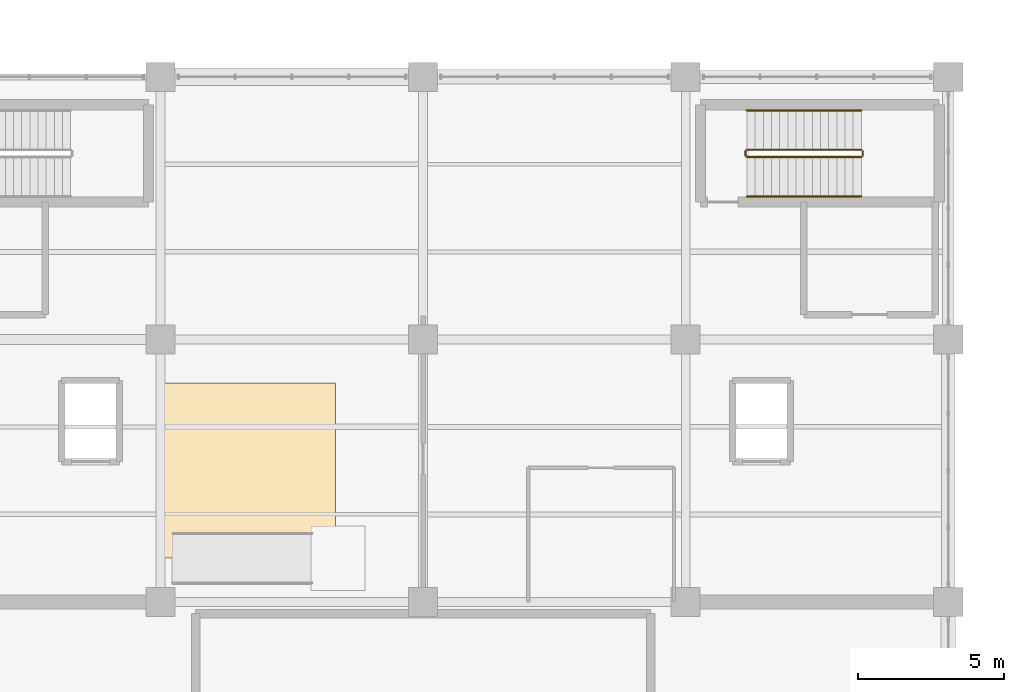
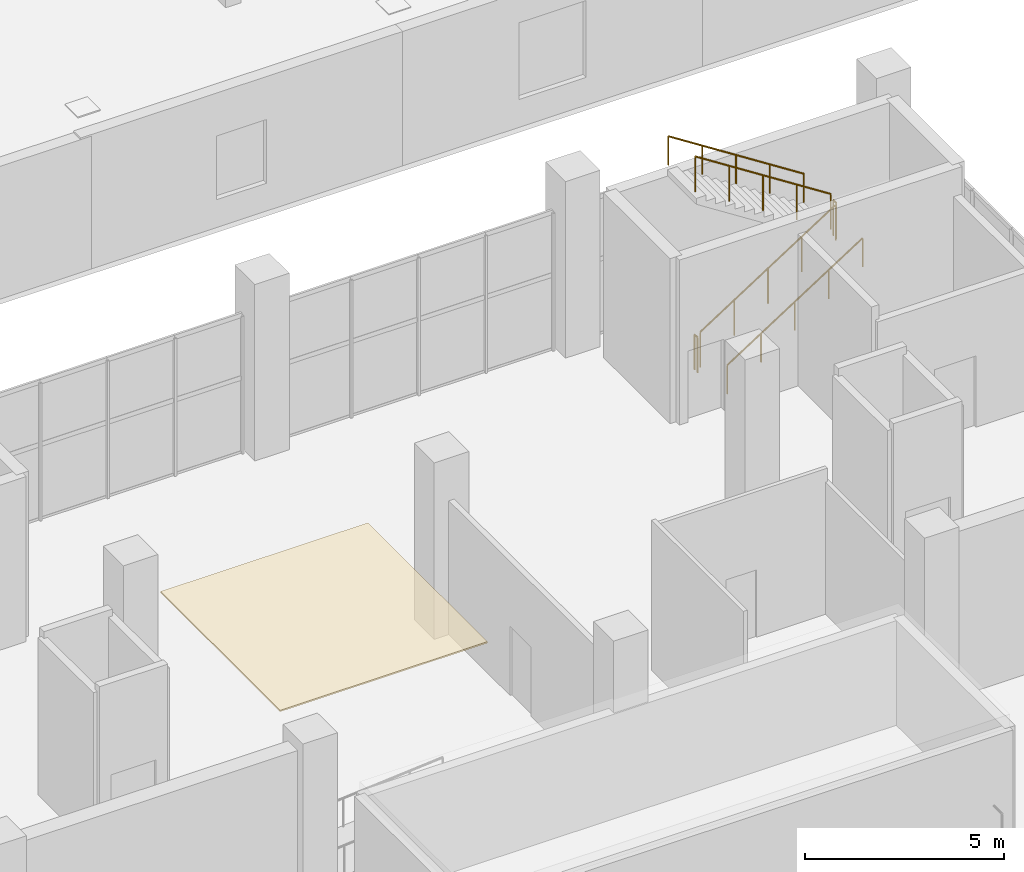
# One storey, part 144 of 147: 6 railings, 1 covering.
"""IFC4 building model written with IfcOpenShell, lengths in metres."""

from ifc_helpers import new_model, si_unit, direction, frame, origin, origin_2d, place, context, subcontext, project, spatial, rectangle, circle, extrude, material, layer, layer_set, type_object, element, save


model = new_model("IFC4")

# Units and contexts
model_context = context("Model", 3, precision=1e-05, world=origin(), true_north=direction((0.0, 1.0)))
body_context = subcontext(model_context, "Body", "Model", "MODEL_VIEW")
ifc_project = project(units=[si_unit("LENGTHUNIT", "METRE"), si_unit("AREAUNIT", "SQUARE_METRE"), si_unit("VOLUMEUNIT", "CUBIC_METRE"), si_unit("PLANEANGLEUNIT", "RADIAN"), si_unit("MASSUNIT", "GRAM", prefix="KILO")], contexts=[model_context])

# Site, building, storey
site_placement = place(None, origin())
site = spatial("IfcSite", under=ifc_project, at=site_placement, CompositionType="ELEMENT")
building_placement = place(site_placement, origin())
building = spatial("IfcBuilding", under=site, at=building_placement, Name="Sundgate Opera House", CompositionType="ELEMENT")
storey_placement = place(building_placement, frame((0.0, 0.0, 6.0)))
storey = spatial("IfcBuildingStorey", under=building, at=storey_placement, Name="L01", CompositionType="ELEMENT", Elevation=6.0)

# Covering
ifc_material_1 = material(Name="Perforated European oak acoustic ceiling", Category="wood")
ifc_layer = layer(ifc_material_1, 0.044921875)
ifc_layer_set = layer_set([ifc_layer], Name="Perforated European oak acoustic ceiling")
covering_type = type_object("IfcCoveringType", Name="CV-CEIL-OAK", PredefinedType="CEILING", material=ifc_layer_set)
covering_placement = place(storey_placement, frame((48.0, 64.5, 5.005126953125), z_axis=(0.0, 0.0, 1.0), x_axis=(1.0, 0.0, 0.0)))
element("IfcCovering", 1, at=covering_placement, inside=storey, type_object=covering_type, Name="L01 Acoustic Ceiling CV0128", PredefinedType="CEILING", context=body_context, shape_type="SweptSolid", body=[
    extrude(rectangle(XDim=6.0, YDim=6.0, at=origin_2d()), origin(), (0.0, 0.0, 1.0), 0.044921875),
])

# Railings
ifc_material_2 = material(Name="Painted steel S275 guardrail", Category="steel")
railing_type_1 = type_object("IfcRailingType", Name="RL-STAIR-GUARD-1100", PredefinedType="GUARDRAIL", material=ifc_material_2)
railing_1_placement = place(storey_placement, frame((65.10009765625, 75.25, 0.179931640625)))
element("IfcRailing", 2, at=railing_1_placement, inside=storey, type_object=railing_type_1, Name="ST04L01 Guardrail RL0145", PredefinedType="GUARDRAIL", context=body_context, shape_type="SweptSolid", body=[
    extrude(circle(Radius=0.02392578125, at=origin_2d()), frame((0.0, 0.0, 1.076171875), z_axis=(0.841171666519, 0.0, 0.540768182723), x_axis=(0.0, 1.0, 0.0)), (0.0, 0.0, 1.0), 4.66015625),
    extrude(circle(Radius=0.02099609375, at=origin_2d()), origin(), (0.0, 0.0, 1.0), 1.052001953125),
    extrude(circle(Radius=0.02099609375, at=origin_2d()), frame((0.97998046875, 0.0, 0.6298828125)), (0.0, 0.0, 1.0), 1.052001953125),
    extrude(circle(Radius=0.02099609375, at=origin_2d()), frame((1.9599609375, 0.0, 1.260009765625)), (0.0, 0.0, 1.0), 1.052001953125),
    extrude(circle(Radius=0.02099609375, at=origin_2d()), frame((2.93994140625, 0.0, 1.89013671875)), (0.0, 0.0, 1.0), 1.052001953125),
    extrude(circle(Radius=0.02099609375, at=origin_2d()), frame((3.919921875, 0.0, 2.52001953125)), (0.0, 0.0, 1.0), 1.052001953125),
])
railing_2_placement = place(storey_placement, frame((69.070068359375, 75.300048828125, 2.699951171875)))
element("IfcRailing", 3, at=railing_2_placement, inside=storey, type_object=railing_type_1, Name="ST04L01 Guardrail RL0146", PredefinedType="GUARDRAIL", context=body_context, shape_type="SweptSolid", body=[
    extrude(circle(Radius=0.02392578125, at=origin_2d()), frame((0.0, 0.0, 1.076171875), z_axis=(0.0, 1.0, 0.0), x_axis=(-1.0, 0.0, 0.0)), (0.0, 0.0, 1.0), 0.14990234375),
    extrude(circle(Radius=0.02099609375, at=origin_2d()), origin(), (0.0, 0.0, 1.0), 1.052001953125),
    extrude(circle(Radius=0.02099609375, at=origin_2d()), frame((0.0, 0.14990234375, 0.0)), (0.0, 0.0, 1.0), 1.052001953125),
])
railing_3_placement = place(storey_placement, frame((69.02001953125, 75.5, 2.8798828125)))
element("IfcRailing", 4, at=railing_3_placement, inside=storey, type_object=railing_type_1, Name="ST04L01 Guardrail RL0147", PredefinedType="GUARDRAIL", context=body_context, shape_type="SweptSolid", body=[
    extrude(circle(Radius=0.02392578125, at=origin_2d()), frame((0.0, 0.0, 1.076171875), z_axis=(-0.841171666519, 0.0, 0.540768182723), x_axis=(0.0, -1.0, 0.0)), (0.0, 0.0, 1.0), 4.66015625),
    extrude(circle(Radius=0.02099609375, at=origin_2d()), origin(), (0.0, 0.0, 1.0), 1.052001953125),
    extrude(circle(Radius=0.02099609375, at=origin_2d()), frame((-0.97998046875, 0.0, 0.6298828125)), (0.0, 0.0, 1.0), 1.052001953125),
    extrude(circle(Radius=0.02099609375, at=origin_2d()), frame((-1.9599609375, 0.0, 1.260009765625)), (0.0, 0.0, 1.0), 1.052001953125),
    extrude(circle(Radius=0.02099609375, at=origin_2d()), frame((-2.93994140625, 0.0, 1.89013671875)), (0.0, 0.0, 1.0), 1.052001953125),
    extrude(circle(Radius=0.02099609375, at=origin_2d()), frame((-3.919921875, 0.0, 2.52001953125)), (0.0, 0.0, 1.0), 1.052001953125),
])
railing_4_placement = place(storey_placement, frame((65.050048828125, 75.300048828125, 0.0)))
element("IfcRailing", 5, at=railing_4_placement, inside=storey, type_object=railing_type_1, Name="ST04L01 Guardrail RL0148", PredefinedType="GUARDRAIL", context=body_context, shape_type="SweptSolid", body=[
    extrude(circle(Radius=0.02392578125, at=origin_2d()), frame((0.0, 0.0, 1.076171875), z_axis=(0.0, 1.0, 0.0), x_axis=(-1.0, 0.0, 0.0)), (0.0, 0.0, 1.0), 0.14990234375),
    extrude(circle(Radius=0.02099609375, at=origin_2d()), origin(), (0.0, 0.0, 1.0), 1.052001953125),
    extrude(circle(Radius=0.02099609375, at=origin_2d()), frame((0.0, 0.14990234375, 0.0)), (0.0, 0.0, 1.0), 1.052001953125),
])
ifc_material_3 = material(Name="Brushed stainless steel handrail", Category="steel")
railing_type_2 = type_object("IfcRailingType", Name="RL-STAIR-HAND-900", PredefinedType="HANDRAIL", material=ifc_material_3)
railing_5_placement = place(storey_placement, frame((65.10009765625, 73.89990234375, 0.179931640625)))
element("IfcRailing", 6, at=railing_5_placement, inside=storey, type_object=railing_type_2, Name="ST04L01 Handrail RL0149", PredefinedType="HANDRAIL", context=body_context, shape_type="SweptSolid", body=[
    extrude(circle(Radius=0.02392578125, at=origin_2d()), frame((0.0, 0.0, 0.8759765625), z_axis=(0.841171666519, 0.0, 0.540768182723), x_axis=(0.0, 1.0, 0.0)), (0.0, 0.0, 1.0), 4.66015625),
    extrude(circle(Radius=0.02099609375, at=origin_2d()), origin(), (0.0, 0.0, 1.0), 0.851806640625),
    extrude(circle(Radius=0.02099609375, at=origin_2d()), frame((0.97998046875, 0.0, 0.6298828125)), (0.0, 0.0, 1.0), 0.851806640625),
    extrude(circle(Radius=0.02099609375, at=origin_2d()), frame((1.9599609375, 0.0, 1.260009765625)), (0.0, 0.0, 1.0), 0.851806640625),
    extrude(circle(Radius=0.02099609375, at=origin_2d()), frame((2.93994140625, 0.0, 1.89013671875)), (0.0, 0.0, 1.0), 0.851806640625),
    extrude(circle(Radius=0.02099609375, at=origin_2d()), frame((3.919921875, 0.0, 2.52001953125)), (0.0, 0.0, 1.0), 0.851806640625),
])
railing_6_placement = place(storey_placement, frame((69.02001953125, 76.85009765625, 2.8798828125)))
element("IfcRailing", 7, at=railing_6_placement, inside=storey, type_object=railing_type_2, Name="ST04L01 Handrail RL0150", PredefinedType="HANDRAIL", context=body_context, shape_type="SweptSolid", body=[
    extrude(circle(Radius=0.02392578125, at=origin_2d()), frame((0.0, 0.0, 0.8759765625), z_axis=(-0.841171666519, 0.0, 0.540768182723), x_axis=(0.0, -1.0, 0.0)), (0.0, 0.0, 1.0), 4.66015625),
    extrude(circle(Radius=0.02099609375, at=origin_2d()), origin(), (0.0, 0.0, 1.0), 0.851806640625),
    extrude(circle(Radius=0.02099609375, at=origin_2d()), frame((-0.97998046875, 0.0, 0.6298828125)), (0.0, 0.0, 1.0), 0.851806640625),
    extrude(circle(Radius=0.02099609375, at=origin_2d()), frame((-1.9599609375, 0.0, 1.260009765625)), (0.0, 0.0, 1.0), 0.851806640625),
    extrude(circle(Radius=0.02099609375, at=origin_2d()), frame((-2.93994140625, 0.0, 1.89013671875)), (0.0, 0.0, 1.0), 0.851806640625),
    extrude(circle(Radius=0.02099609375, at=origin_2d()), frame((-3.919921875, 0.0, 2.52001953125)), (0.0, 0.0, 1.0), 0.851806640625),
])

save(model, "model.ifc")
